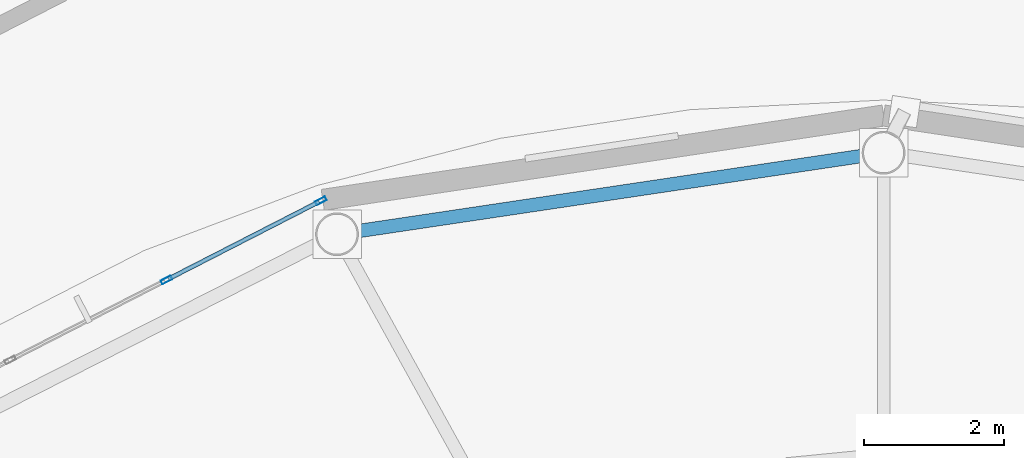
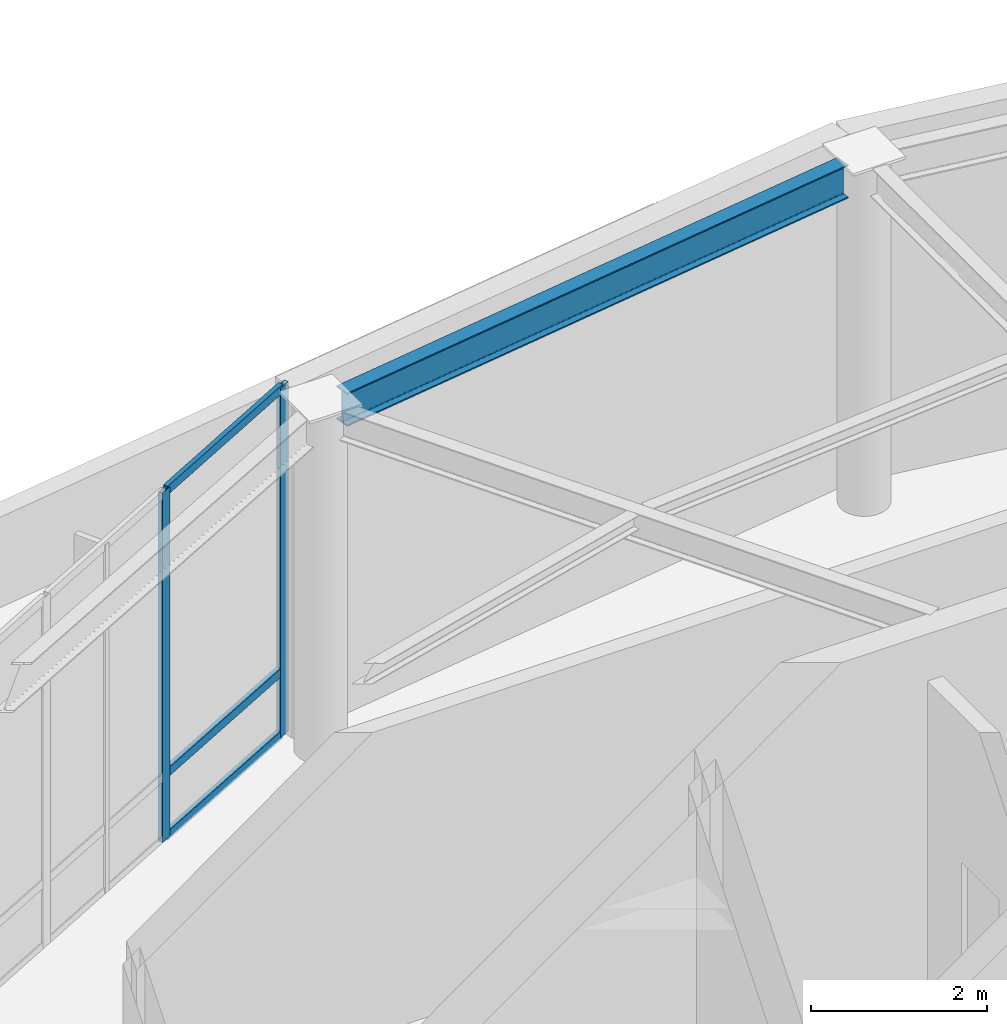
# One storey, part 9 of 15: 5 members, 1 beam, 1 element without a shape of its own.
"""IFC4 building model written with IfcOpenShell, lengths in metres."""

from ifc_helpers import new_model, si_unit, direction, frame, origin, origin_2d, place, context, subcontext, project, spatial, hollow_rectangle, i_section, extrude, material, layer, layer_set, material_profile, profile_set, type_object, element, aggregate, save


model = new_model("IFC4")

# Units and contexts
model_context = context("Model", 3, precision=1e-05, world=origin(), true_north=direction((0.0, 1.0)))
body_context = subcontext(model_context, "Body", "Model", "MODEL_VIEW")
ifc_project = project(units=[si_unit("LENGTHUNIT", "METRE"), si_unit("AREAUNIT", "SQUARE_METRE"), si_unit("VOLUMEUNIT", "CUBIC_METRE"), si_unit("PLANEANGLEUNIT", "RADIAN"), si_unit("MASSUNIT", "GRAM", prefix="KILO")], contexts=[model_context])

# Site, building, storey
site_placement = place(None, origin())
site = spatial("IfcSite", under=ifc_project, at=site_placement, CompositionType="ELEMENT")
building_placement = place(site_placement, origin())
building = spatial("IfcBuilding", under=site, at=building_placement, Name="Sarneth Arch Tower", CompositionType="ELEMENT")
storey_placement = place(building_placement, frame((0.0, 0.0, 316.5)))
storey = spatial("IfcBuildingStorey", under=building, at=storey_placement, Name="L82", CompositionType="ELEMENT", Elevation=316.5)

# Beam
ifc_material_1 = material(Name="Steel S355", Category="steel")
ifc_material_profile_1 = material_profile(ifc_material_1, i_section(OverallWidth=0.19189453125, OverallDepth=0.462890625, WebThickness=0.010498046875, FlangeThickness=0.017578125, FilletRadius=0.01806640625, at=origin_2d()), Name="W460x89")
ifc_profile_set_1 = profile_set([ifc_material_profile_1], Name="Steel S355")
beam_type = type_object("IfcBeamType", Name="BM-RAD-460B", PredefinedType="BEAM", material=ifc_profile_set_1)
beam_placement = place(storey_placement, frame((47.6982421875, 57.205078125, 4.6083984375), z_axis=(-0.989054698722, -0.147549323742, 0.0), x_axis=(0.147549323742, -0.989054698722, 0.0)))
element("IfcBeam", 1, at=beam_placement, inside=storey, type_object=beam_type, Name="L82 Perimeter spandrel beam 05", PredefinedType="BEAM", context=body_context, shape_type="SweptSolid", body=[
    extrude(i_section(OverallWidth=0.19189453125, OverallDepth=0.462890625, WebThickness=0.010498046875, FlangeThickness=0.017578125, FilletRadius=0.01806640625, at=origin_2d()), origin(), (0.0, 0.0, 1.0), 7.2587890625),
])

# Curtain wall, members
ifc_material_2 = material(Name="Anodised aluminium Type AA25 and solar-control low-e laminated IGU", Category="aluminium")
ifc_layer = layer(ifc_material_2, 0.18994140625)
ifc_layer_set = layer_set([ifc_layer], Name="Anodised aluminium Type AA25 and solar-control low-e laminated IGU")
curtain_wall_type = type_object("IfcCurtainWallType", Name="CW-CROWN-DRUM", PredefinedType="NOTDEFINED", material=ifc_layer_set)
curtain_wall_placement = place(storey_placement, origin())
curtain_wall = element("IfcCurtainWall", 2, at=curtain_wall_placement, inside=storey, type_object=curtain_wall_type, Name="L82 Unitised curtain wall facet 06", PredefinedType="NOTDEFINED")
ifc_material_3 = material(Name="Anodised Aluminium 6063-T6", Category="aluminium")
ifc_material_profile_2 = material_profile(ifc_material_3, hollow_rectangle(XDim=0.06005859375, YDim=0.159912109375, WallThickness=0.00390625, at=origin_2d()), Name="AL-MULL-160x60x4")
ifc_profile_set_2 = profile_set([ifc_material_profile_2], Name="Anodised Aluminium 6063-T6")
member_type_1 = type_object("IfcMemberType", Name="CW-MULLION", PredefinedType="MULLION", material=ifc_profile_set_2)
member_1_placement = place(storey_placement, frame((39.98779296875, 56.565185546875, 0.0), z_axis=(0.0, 0.0, 1.0), x_axis=(0.456040359598, -0.8899590948, 0.0)))
member_1 = element("IfcMember", 3, at=member_1_placement, type_object=member_type_1, Name="CW-SYS-7 mullion 1", PredefinedType="MULLION", context=body_context, shape_type="SweptSolid", body=[
    extrude(hollow_rectangle(XDim=0.06005859375, YDim=0.159912109375, WallThickness=0.00390625, at=origin_2d()), origin(), (0.0, 0.0, 1.0), 4.840087890625),
])
member_2_placement = place(storey_placement, frame((37.789306640625, 55.4384765625, 0.0), z_axis=(0.0, 0.0, 1.0), x_axis=(0.456040359598, -0.8899590948, 0.0)))
member_2 = element("IfcMember", 4, at=member_2_placement, type_object=member_type_1, Name="CW-SYS-7 mullion 2", PredefinedType="MULLION", context=body_context, shape_type="SweptSolid", body=[
    extrude(hollow_rectangle(XDim=0.06005859375, YDim=0.159912109375, WallThickness=0.00390625, at=origin_2d()), origin(), (0.0, 0.0, 1.0), 4.840087890625),
])
ifc_material_4 = material(Name="Anodised Aluminium 6063-T6", Category="aluminium")
ifc_material_profile_3 = material_profile(ifc_material_4, hollow_rectangle(XDim=0.06005859375, YDim=0.1201171875, WallThickness=0.00390625, at=origin_2d()), Name="AL-TRAN-120x60x4")
ifc_profile_set_3 = profile_set([ifc_material_profile_3], Name="Anodised Aluminium 6063-T6")
member_type_2 = type_object("IfcMemberType", Name="CW-TRANSOM", PredefinedType="USERDEFINED", material=ifc_profile_set_3)
member_3_placement = place(storey_placement, frame((39.9609375, 56.551513671875, 0.030029296875), z_axis=(-0.889967167286, -0.456024605864, 0.0), x_axis=(0.456024605864, -0.889967167286, 0.0)))
member_3 = element("IfcMember", 5, at=member_3_placement, type_object=member_type_2, Name="CW-SYS-7 transom 1.1", ObjectType="TRANSOM", PredefinedType="USERDEFINED", context=body_context, shape_type="SweptSolid", body=[
    extrude(hollow_rectangle(XDim=0.06005859375, YDim=0.1201171875, WallThickness=0.00390625, at=origin_2d()), origin(), (0.0, 0.0, 1.0), 2.41015625),
])
member_4_placement = place(storey_placement, frame((39.9609375, 56.551513671875, 0.89990234375), z_axis=(-0.889967167286, -0.456024605864, 0.0), x_axis=(0.456024605864, -0.889967167286, 0.0)))
member_4 = element("IfcMember", 6, at=member_4_placement, type_object=member_type_2, Name="CW-SYS-7 transom 1.2", ObjectType="TRANSOM", PredefinedType="USERDEFINED", context=body_context, shape_type="SweptSolid", body=[
    extrude(hollow_rectangle(XDim=0.06005859375, YDim=0.1201171875, WallThickness=0.00390625, at=origin_2d()), origin(), (0.0, 0.0, 1.0), 2.41015625),
])
member_5_placement = place(storey_placement, frame((39.9609375, 56.551513671875, 4.81005859375), z_axis=(-0.889967167286, -0.456024605864, 0.0), x_axis=(0.456024605864, -0.889967167286, 0.0)))
member_5 = element("IfcMember", 7, at=member_5_placement, type_object=member_type_2, Name="CW-SYS-7 transom 1.3", ObjectType="TRANSOM", PredefinedType="USERDEFINED", context=body_context, shape_type="SweptSolid", body=[
    extrude(hollow_rectangle(XDim=0.06005859375, YDim=0.1201171875, WallThickness=0.00390625, at=origin_2d()), origin(), (0.0, 0.0, 1.0), 2.41015625),
])
aggregate(curtain_wall, [member_1, member_2, member_3, member_4, member_5])

save(model, "model.ifc")
